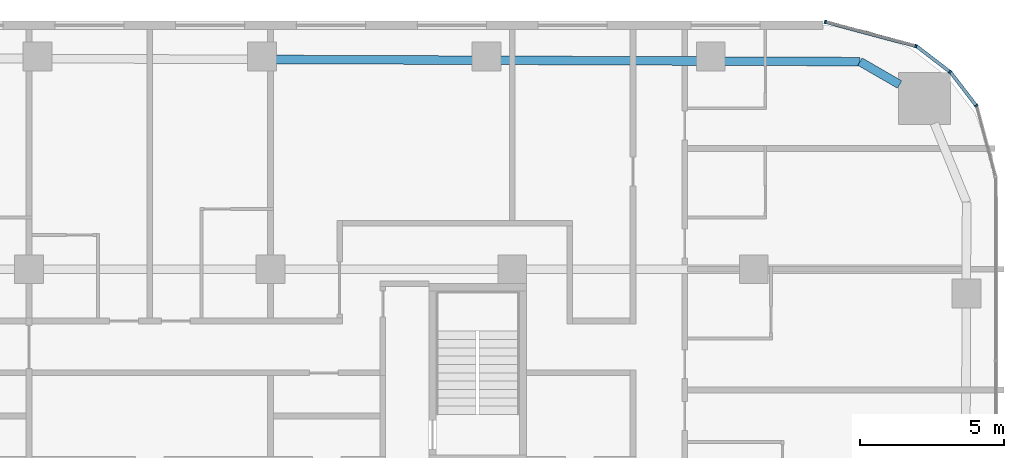
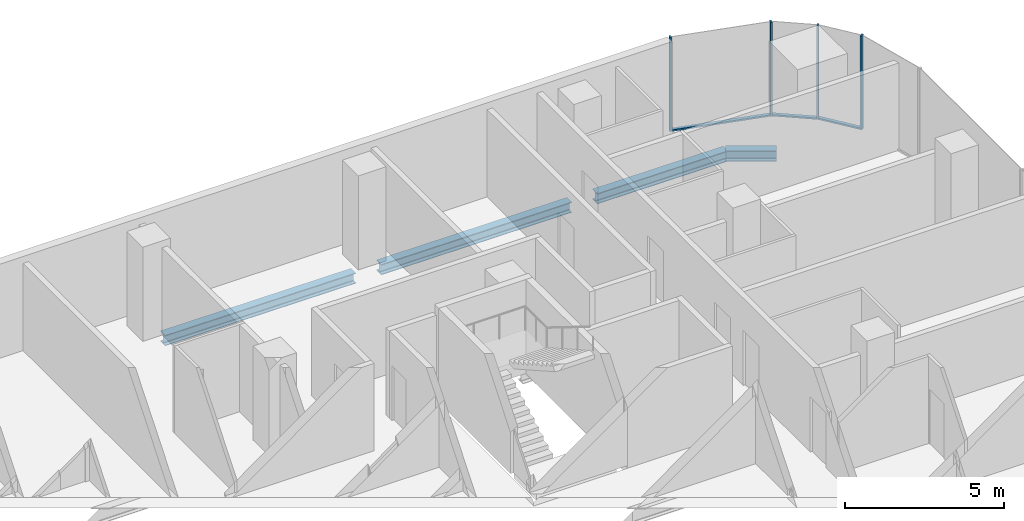
# One storey, part 13 of 26: 7 members, 4 beams, 3 elements without a shape of their own.
"""IFC4 building model written with IfcOpenShell, lengths in metres."""

import ifcopenshell
import ifcopenshell.guid

model = None  # the IFC model being written
_history = None  # IfcOwnerHistory: only IFC2X3 demands one
_inside = {}  # id of a spatial element -> (the spatial element, [elements in it])
_under = {}  # id of a project, library or spatial element -> (it, [spatial elements below it])
_declared = {}  # id of a project -> (the project, [libraries it declares])
_typed = {}  # id of a type object -> (the type object, [elements of that type])
_made_of = {}  # id of a material, layer set ... -> (it, [elements and type objects made of it])


def new_model(schema):
    """Start an empty IFC model of exactly this schema.

    Asked for "IFC4X3", IfcOpenShell would pick the latest addendum, in which some entities
    have other attributes; the version numbers below select the first issue.
    IFC2X3 requires an IfcOwnerHistory on every rooted entity: one is made here for all.
    """
    global model, _history
    if schema == "IFC4X3":
        model = ifcopenshell.file(schema_version=(4, 3, 0, 0))
    else:
        model = ifcopenshell.file(schema=schema)
    _inside.clear()
    _under.clear()
    _declared.clear()
    _typed.clear()
    _made_of.clear()
    _history = None
    if model.schema == "IFC2X3":
        org = make("IfcOrganization", Name="unknown")
        user = make(
            "IfcPersonAndOrganization",
            ThePerson=make("IfcPerson", FamilyName="unknown"),
            TheOrganization=org,
        )
        app = make(
            "IfcApplication",
            ApplicationDeveloper=org,
            Version="unknown",
            ApplicationFullName="unknown",
            ApplicationIdentifier="unknown",
        )
        _history = make(
            "IfcOwnerHistory",
            OwningUser=user,
            OwningApplication=app,
            ChangeAction="ADDED",
            CreationDate=0,
        )
    return model


def make(cls, **values):
    """One entity of the class cls with the attributes given. An attribute that is None is left unset."""
    return model.create_entity(
        cls, **{name: value for name, value in values.items() if value is not None}
    )


def rooted(cls, **values):
    """An entity with a GlobalId (a new one), such as an element, a storey or a relation."""
    return make(cls, GlobalId=ifcopenshell.guid.new(), OwnerHistory=_history, **values)


def si_unit(unit_type, name, prefix=None):
    """IfcSIUnit, for example si_unit("LENGTHUNIT", "METRE", prefix="MILLI")."""
    return make("IfcSIUnit", UnitType=unit_type, Prefix=prefix, Name=name)


def assignment(units):
    """IfcUnitAssignment: the units of a project."""
    return None if units is None else make("IfcUnitAssignment", Units=units)


def point(xyz):
    """IfcCartesianPoint."""
    return None if xyz is None else make("IfcCartesianPoint", Coordinates=xyz)


def direction(xyz):
    """IfcDirection."""
    return None if xyz is None else make("IfcDirection", DirectionRatios=xyz)


def frame(location, z_axis=None, x_axis=None):
    """IfcAxis2Placement3D, a coordinate frame: its origin and axes. An axis left out is left unset."""
    return make(
        "IfcAxis2Placement3D",
        Location=point(location),
        Axis=direction(z_axis),
        RefDirection=direction(x_axis),
    )


def frame_2d(location, x_axis=None):
    """IfcAxis2Placement2D, a coordinate frame in the plane: its origin and x axis."""
    return make(
        "IfcAxis2Placement2D", Location=point(location), RefDirection=direction(x_axis)
    )


def origin():
    """The frame at (0, 0, 0) with its axes left unset."""
    return frame((0.0, 0.0, 0.0))


def origin_2d():
    """The frame at (0, 0) in the plane with its x axis left unset."""
    return frame_2d((0.0, 0.0))


def place(relative_to, where):
    """IfcLocalPlacement: puts the frame where relative to a parent placement (None: the world)."""
    return make(
        "IfcLocalPlacement", PlacementRelTo=relative_to, RelativePlacement=where
    )


def context(
    kind, dimensions, precision=None, world=None, true_north=None, identifier=None
):
    """IfcGeometricRepresentationContext, for example the 3D "Model" context."""
    return make(
        "IfcGeometricRepresentationContext",
        ContextIdentifier=identifier,
        ContextType=kind,
        CoordinateSpaceDimension=dimensions,
        Precision=precision,
        WorldCoordinateSystem=world,
        TrueNorth=true_north,
    )


def subcontext(parent, identifier, kind, view, scale=None):
    """IfcGeometricRepresentationSubContext, for example "Body" below "Model"."""
    return make(
        "IfcGeometricRepresentationSubContext",
        ContextIdentifier=identifier,
        ContextType=kind,
        ParentContext=parent,
        TargetScale=scale,
        TargetView=view,
    )


def project(units=None, contexts=None):
    """IfcProject with its units and contexts."""
    return rooted(
        "IfcProject",
        Name="project",
        RepresentationContexts=contexts,
        UnitsInContext=assignment(units),
    )


def spatial(cls, under=None, at=None, **own):
    """A site, building, storey or space (cls), placed at a placement, below another one or the project."""
    s = rooted(cls, ObjectPlacement=at, **own)
    if under is not None:
        _under.setdefault(under.id(), (under, []))[1].append(s)
    return s


def profile(cls, at=None, kind="AREA", **sizes):
    """A parametric profile (cls). Its sizes go by their IFC names, for example OverallWidth=200.0."""
    return make(cls, ProfileType=kind, Position=at, **sizes)


def rectangle(**sizes):
    """IfcRectangleProfileDef."""
    return profile("IfcRectangleProfileDef", **sizes)


def i_section(**sizes):
    """IfcIShapeProfileDef."""
    return profile("IfcIShapeProfileDef", **sizes)


def extrude(swept, where, along, depth):
    """IfcExtrudedAreaSolid: the profile swept, set in the frame where, extruded along a direction by depth."""
    return make(
        "IfcExtrudedAreaSolid",
        SweptArea=swept,
        Position=where,
        ExtrudedDirection=direction(along),
        Depth=depth,
    )


def shape(context_of_items, identifier, shape_type, items):
    """IfcShapeRepresentation: the items that make up one representation, for example the "Body"."""
    return make(
        "IfcShapeRepresentation",
        ContextOfItems=context_of_items,
        RepresentationIdentifier=identifier,
        RepresentationType=shape_type,
        Items=items,
    )


def material(Name=None, Category=None):
    """IfcMaterial."""
    return make("IfcMaterial", Name=Name, Category=Category)


def layer(
    of_material, thickness, ventilated=None, Name=None, Category=None, Priority=None
):
    """IfcMaterialLayer: one layer of a wall or slab, of a material (None: an air gap)."""
    return make(
        "IfcMaterialLayer",
        Material=of_material,
        LayerThickness=thickness,
        IsVentilated=ventilated,
        Name=Name,
        Category=Category,
        Priority=Priority,
    )


def layer_set(layers, Name=None):
    """IfcMaterialLayerSet."""
    return make("IfcMaterialLayerSet", MaterialLayers=layers, LayerSetName=Name)


def material_profile(
    of_material, cross_section, Name=None, Category=None, Priority=None
):
    """IfcMaterialProfile: a cross section and its material."""
    return make(
        "IfcMaterialProfile",
        Name=Name,
        Material=of_material,
        Profile=cross_section,
        Priority=Priority,
        Category=Category,
    )


def profile_set(profiles, Name=None, composite=None):
    """IfcMaterialProfileSet."""
    return make(
        "IfcMaterialProfileSet",
        Name=Name,
        MaterialProfiles=profiles,
        CompositeProfile=composite,
    )


def made_of(thing, what):
    """Note that an element or type object is made of a material, layer set ...; save() writes the relation."""
    if what is not None:
        _made_of.setdefault(what.id(), (what, []))[1].append(thing)
    return thing


def type_object(cls, material=None, **own):
    """A type object (cls), such as IfcWallType, which elements share."""
    return made_of(rooted(cls, **own), material)


def element(
    cls,
    number,
    at=None,
    inside=None,
    cuts=None,
    type_object=None,
    material=None,
    context=None,
    identifier="Body",
    shape_type=None,
    held_by="IfcProductDefinitionShape",
    body=None,
    shapes=None,
    **own,
):
    """One element of the class cls, such as IfcWall. Its Tag is "e" and its number.

    at: its placement. inside: the storey or other place that contains it. cuts: it is an
    opening in that element (IfcRelVoidsElement). A single representation is given by context,
    identifier, shape_type and body (its items); several are given by shapes. held_by: the class
    of the entity that holds the representations. save() writes the other relations.
    """
    e = rooted(cls, Tag="e%d" % number, ObjectPlacement=at, **own)
    if body is not None:
        shapes = [shape(context, identifier, shape_type, body)]
    if shapes is not None:
        e.Representation = make(held_by, Representations=shapes)
    if inside is not None:
        _inside.setdefault(inside.id(), (inside, []))[1].append(e)
    if cuts is not None:
        rooted(
            "IfcRelVoidsElement", RelatingBuildingElement=cuts, RelatedOpeningElement=e
        )
    if type_object is not None:
        _typed.setdefault(type_object.id(), (type_object, []))[1].append(e)
    return made_of(e, material)


def aggregate(whole, parts):
    """IfcRelAggregates: a whole, such as a stair, and the parts it consists of."""
    return rooted("IfcRelAggregates", RelatingObject=whole, RelatedObjects=parts)


def save(model, path):
    """Write the relations noted so far, then the file.

    IfcRelAggregates (storeys below a building ...), IfcRelContainedInSpatialStructure (elements
    in a storey), IfcRelDefinesByType, IfcRelAssociatesMaterial and IfcRelDeclares: one each for
    every whole, place, type object, material and project.
    """
    for whole, parts in _under.values():
        aggregate(whole, parts)
    for where, things in _inside.values():
        rooted(
            "IfcRelContainedInSpatialStructure",
            RelatedElements=things,
            RelatingStructure=where,
        )
    for kind, things in _typed.values():
        rooted("IfcRelDefinesByType", RelatedObjects=things, RelatingType=kind)
    for what, things in _made_of.values():
        rooted("IfcRelAssociatesMaterial", RelatedObjects=things, RelatingMaterial=what)
    for by, libraries in _declared.values():
        rooted("IfcRelDeclares", RelatingContext=by, RelatedDefinitions=libraries)
    model.write(path)


model = new_model("IFC4")

# Units and contexts
model_context = context("Model", 3, precision=1e-05, world=origin(), true_north=direction((0.0, 1.0)))
body_context = subcontext(model_context, "Body", "Model", "MODEL_VIEW")
ifc_project = project(units=[si_unit("LENGTHUNIT", "METRE"), si_unit("AREAUNIT", "SQUARE_METRE"), si_unit("VOLUMEUNIT", "CUBIC_METRE"), si_unit("PLANEANGLEUNIT", "RADIAN"), si_unit("MASSUNIT", "GRAM", prefix="KILO")], contexts=[model_context])

# Site, building, storey
site_placement = place(None, origin())
site = spatial("IfcSite", under=ifc_project, at=site_placement, CompositionType="ELEMENT")
building_placement = place(site_placement, origin())
building = spatial("IfcBuilding", under=site, at=building_placement, Name="Marenta Gate Hotel Tower", CompositionType="ELEMENT")
storey_placement = place(building_placement, frame((0.0, 0.0, 79.699951171875)))
storey = spatial("IfcBuildingStorey", under=building, at=storey_placement, Name="L18", CompositionType="ELEMENT", Elevation=79.699951171875)

# Beams
ifc_material_1 = material(Name="Steel S355", Category="steel")
ifc_material_profile_1 = material_profile(ifc_material_1, i_section(OverallWidth=0.300048828125, OverallDepth=0.39990234375, WebThickness=0.013427734375, FlangeThickness=0.02392578125, FilletRadius=0.027099609375, at=origin_2d()), Name="HEB 400")
ifc_profile_set_1 = profile_set([ifc_material_profile_1], Name="Steel S355")
beam_type = type_object("IfcBeamType", Name="Edge beam HEB 400", PredefinedType="SPANDREL", material=ifc_profile_set_1)
for number, where, z_axis, x_axis, name in (
    (1, (4.361328125, 32.4970703125, -0.4599609375), (0.999993064268, -0.003724435008, 0.0), (0.003724435008, 0.999993064268, 0.0), "L18-EB-17"),
    (2, (12.1640625, 32.468017578125, -0.4599609375), (0.999993064268, -0.003724435008, 0.0), (0.003724435008, 0.999993064268, 0.0), "L18-EB-18"),
):
    element("IfcBeam", number, at=place(storey_placement, frame(where, z_axis=z_axis, x_axis=x_axis)), inside=storey, type_object=beam_type, Name=name, PredefinedType="SPANDREL", context=body_context, shape_type="SweptSolid", body=[
        extrude(i_section(OverallWidth=0.300048828125, OverallDepth=0.39990234375, WebThickness=0.013427734375, FlangeThickness=0.02392578125, FilletRadius=0.027099609375, at=origin_2d()), origin(), (0.0, 0.0, 1.0), 6.8828125),
    ])
beam_1_placement = place(storey_placement, frame((19.966796875, 32.43896484375, -0.4599609375), z_axis=(0.999993080272, -0.003720135464, 0.0), x_axis=(0.003720135464, 0.999993080272, 0.0)))
element("IfcBeam", 3, at=beam_1_placement, inside=storey, type_object=beam_type, Name="L18-EB-19", PredefinedType="SPANDREL", context=body_context, shape_type="SweptSolid", body=[
    extrude(i_section(OverallWidth=0.300048828125, OverallDepth=0.39990234375, WebThickness=0.013427734375, FlangeThickness=0.02392578125, FilletRadius=0.027099609375, at=origin_2d()), origin(), (0.0, 0.0, 1.0), 4.72509765625),
])
beam_2_placement = place(storey_placement, frame((24.69189453125, 32.42138671875, -0.4599609375), z_axis=(0.865968422476, -0.500098681536, 0.0), x_axis=(0.500098681536, 0.865968422476, 0.0)))
element("IfcBeam", 4, at=beam_2_placement, inside=storey, type_object=beam_type, Name="L18-EB-20", PredefinedType="SPANDREL", context=body_context, shape_type="SweptSolid", body=[
    extrude(i_section(OverallWidth=0.300048828125, OverallDepth=0.39990234375, WebThickness=0.013427734375, FlangeThickness=0.02392578125, FilletRadius=0.027099609375, at=origin_2d()), origin(), (0.0, 0.0, 1.0), 1.591552734375),
])

# Curtain wall, member
ifc_material_2 = material(Name="Tinted insulated glass in bronze anodised frame", Category="glass")
ifc_layer = layer(ifc_material_2, 0.1201171875)
ifc_layer_set = layer_set([ifc_layer], Name="Tinted insulated glass in bronze anodised frame")
curtain_wall_type = type_object("IfcCurtainWallType", Name="Tower unitised curtain wall CW1", PredefinedType="NOTDEFINED", material=ifc_layer_set)
curtain_wall_1_placement = place(storey_placement, origin())
curtain_wall_1 = element("IfcCurtainWall", 5, at=curtain_wall_1_placement, inside=storey, type_object=curtain_wall_type, Name="CW1 run G13", PredefinedType="NOTDEFINED")
ifc_material_3 = material(Name="Bronze anodised aluminium", Category="aluminium")
ifc_material_profile_2 = material_profile(ifc_material_3, rectangle(XDim=0.1201171875, YDim=0.06005859375, at=origin_2d()), Name="Mullion CW1 60x120 bronze anodised aluminium")
ifc_profile_set_2 = profile_set([ifc_material_profile_2], Name="Bronze anodised aluminium")
member_type_1 = type_object("IfcMemberType", Name="Mullion CW1 60x120 bronze anodised aluminium", PredefinedType="MULLION", material=ifc_profile_set_2)
member_1_placement = place(storey_placement, frame((28.733154296875, 30.888916015625, 0.0), z_axis=(0.0, 0.0, 1.0), x_axis=(-0.79333801153, -0.608781405318, 0.0)))
member_1 = element("IfcMember", 6, at=member_1_placement, type_object=member_type_1, Name="CW1 mullion 1", PredefinedType="MULLION", context=body_context, shape_type="SweptSolid", body=[
    extrude(rectangle(XDim=0.1201171875, YDim=0.06005859375, at=origin_2d()), origin(), (0.0, 0.0, 1.0), 3.60009765625),
])

curtain_wall_2_placement = place(storey_placement, origin())
curtain_wall_2 = element("IfcCurtainWall", 7, at=curtain_wall_2_placement, inside=storey, type_object=curtain_wall_type, Name="CW1 run G14", PredefinedType="NOTDEFINED")
member_2_placement = place(storey_placement, frame((27.82177734375, 32.063720703125, 0.0), z_axis=(0.0, 0.0, 1.0), x_axis=(-0.608781405318, -0.79333801153, 0.0)))
member_2 = element("IfcMember", 8, at=member_2_placement, type_object=member_type_1, Name="CW1 mullion 1", PredefinedType="MULLION", context=body_context, shape_type="SweptSolid", body=[
    extrude(rectangle(XDim=0.1201171875, YDim=0.06005859375, at=origin_2d()), origin(), (0.0, 0.0, 1.0), 3.60009765625),
])

# Curtain wall, members
curtain_wall_3_placement = place(storey_placement, origin())
curtain_wall_3 = element("IfcCurtainWall", 9, at=curtain_wall_3_placement, inside=storey, type_object=curtain_wall_type, Name="CW1 run G15", PredefinedType="NOTDEFINED")
member_3_placement = place(storey_placement, frame((26.63623046875, 32.958984375, 0.0), z_axis=(0.0, 0.0, 1.0), x_axis=(-0.258807310344, -0.965928970532, 0.0)))
member_3 = element("IfcMember", 10, at=member_3_placement, type_object=member_type_1, Name="CW1 mullion 1", PredefinedType="MULLION", context=body_context, shape_type="SweptSolid", body=[
    extrude(rectangle(XDim=0.1201171875, YDim=0.06005859375, at=origin_2d()), origin(), (0.0, 0.0, 1.0), 3.60009765625),
])
member_4_placement = place(storey_placement, frame((23.485595703125, 33.80322265625, 0.0), z_axis=(0.0, 0.0, 1.0), x_axis=(-0.258807310344, -0.965928970532, 0.0)))
member_4 = element("IfcMember", 11, at=member_4_placement, type_object=member_type_1, Name="CW1 mullion 2", PredefinedType="MULLION", context=body_context, shape_type="SweptSolid", body=[
    extrude(rectangle(XDim=0.1201171875, YDim=0.06005859375, at=origin_2d()), origin(), (0.0, 0.0, 1.0), 3.60009765625),
])

# Member
ifc_material_4 = material(Name="Bronze anodised aluminium", Category="aluminium")
ifc_material_profile_3 = material_profile(ifc_material_4, rectangle(XDim=0.1201171875, YDim=0.06005859375, at=origin_2d()), Name="Transom CW1 60x120 bronze anodised aluminium")
ifc_profile_set_3 = profile_set([ifc_material_profile_3], Name="Bronze anodised aluminium")
member_type_2 = type_object("IfcMemberType", Name="Transom CW1 60x120 bronze anodised aluminium", PredefinedType="USERDEFINED", material=ifc_profile_set_3)
member_5_placement = place(storey_placement, frame((28.71484375, 30.91259765625, 0.030029296875), z_axis=(-0.60882629199, 0.793303564963, 0.0), x_axis=(-0.793303564963, -0.60882629199, 0.0)))
member_5 = element("IfcMember", 12, at=member_5_placement, type_object=member_type_2, Name="CW1 transom 1.1", ObjectType="TRANSOM", PredefinedType="USERDEFINED", context=body_context, shape_type="SweptSolid", body=[
    extrude(rectangle(XDim=0.1201171875, YDim=0.06005859375, at=origin_2d()), origin(), (0.0, 0.0, 1.0), 1.427978515625),
])

aggregate(curtain_wall_1, [member_1, member_5])

member_6_placement = place(storey_placement, frame((27.7978515625, 32.08203125, 0.030029296875), z_axis=(-0.793303564963, 0.60882629199, 0.0), x_axis=(-0.60882629199, -0.793303564963, 0.0)))
member_6 = element("IfcMember", 13, at=member_6_placement, type_object=member_type_2, Name="CW1 transom 1.1", ObjectType="TRANSOM", PredefinedType="USERDEFINED", context=body_context, shape_type="SweptSolid", body=[
    extrude(rectangle(XDim=0.1201171875, YDim=0.06005859375, at=origin_2d()), origin(), (0.0, 0.0, 1.0), 1.427978515625),
])

aggregate(curtain_wall_2, [member_2, member_6])

member_7_placement = place(storey_placement, frame((26.607177734375, 32.966796875, 0.030029296875), z_axis=(-0.965933076693, 0.258791984709, 0.0), x_axis=(-0.258791984709, -0.965933076693, 0.0)))
member_7 = element("IfcMember", 14, at=member_7_placement, type_object=member_type_2, Name="CW1 transom 1.1", ObjectType="TRANSOM", PredefinedType="USERDEFINED", context=body_context, shape_type="SweptSolid", body=[
    extrude(rectangle(XDim=0.1201171875, YDim=0.06005859375, at=origin_2d()), origin(), (0.0, 0.0, 1.0), 3.201904296875),
])

aggregate(curtain_wall_3, [member_3, member_4, member_7])

save(model, "model.ifc")
